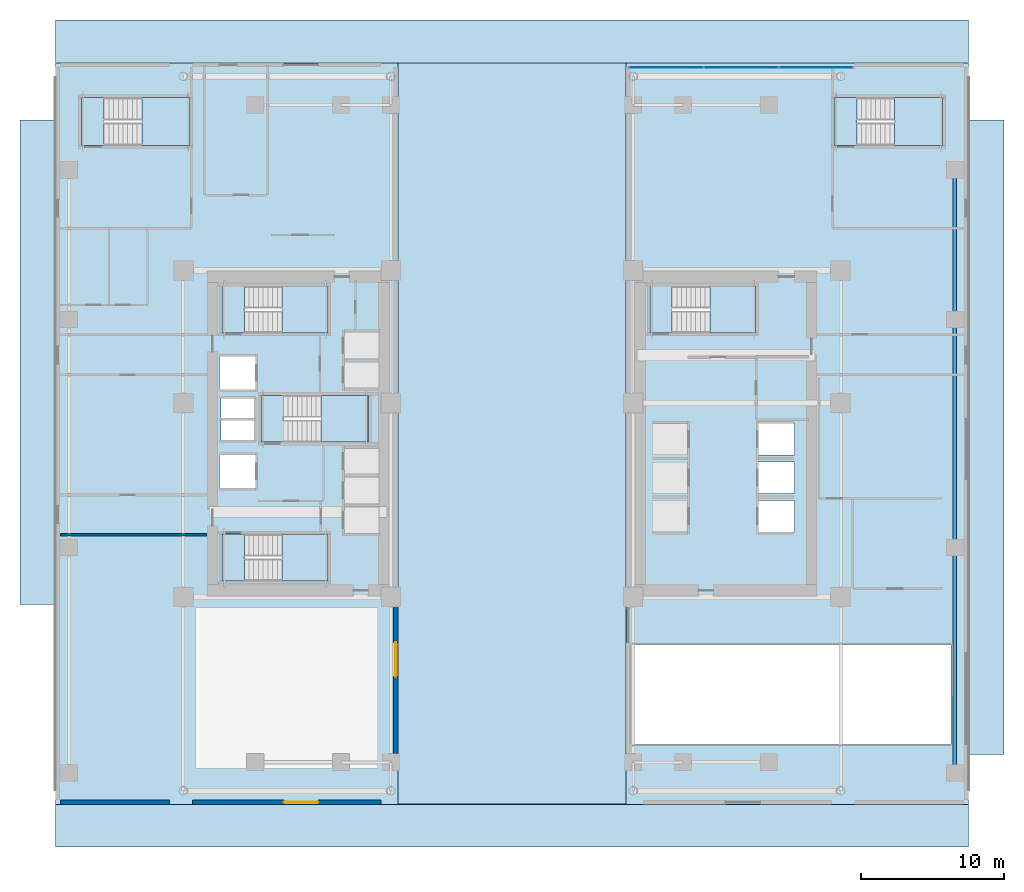
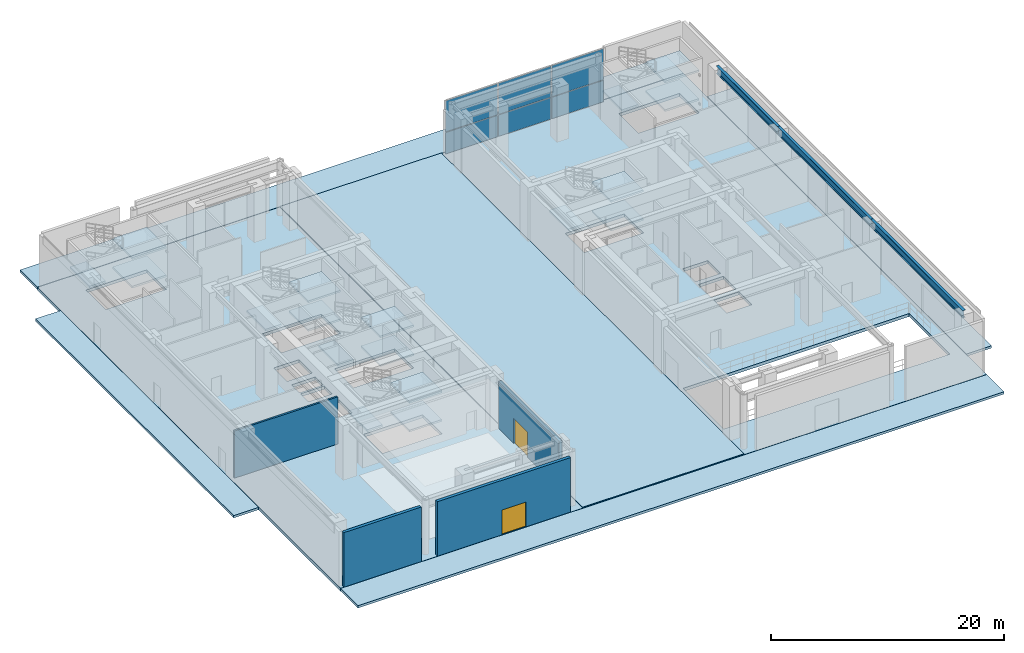
# One storey, part 4 of 17: 24 slabs, 6 plates, 4 walls, 3 beams, 2 doors, 2 openings, 7 elements without a shape of their own.
"""IFC4 building model written with IfcOpenShell, lengths in metres."""

from ifc_helpers import new_model, si_unit, direction, frame, frame_2d, origin, origin_2d, place, context, subcontext, project, spatial, polyline, rectangle, i_section, outline, extrude, source, transform, mapped, material, layer, layer_set, material_profile, profile_set, type_object, element, fill, aggregate, save


model = new_model("IFC4")

# Units and contexts
model_context = context("Model", 3, precision=1e-05, world=origin(), true_north=direction((0.0, 1.0)))
body_context = subcontext(model_context, "Body", "Model", "MODEL_VIEW")
ifc_project = project(units=[si_unit("LENGTHUNIT", "METRE"), si_unit("AREAUNIT", "SQUARE_METRE"), si_unit("VOLUMEUNIT", "CUBIC_METRE"), si_unit("PLANEANGLEUNIT", "RADIAN"), si_unit("MASSUNIT", "GRAM", prefix="KILO")], contexts=[model_context])

# Site, building, storey
site_placement = place(None, origin())
site = spatial("IfcSite", under=ifc_project, at=site_placement, CompositionType="ELEMENT")
building_placement = place(site_placement, origin())
building = spatial("IfcBuilding", under=site, at=building_placement, Name="Ocotamira Hotel", CompositionType="ELEMENT")
storey_placement = place(building_placement, origin())
storey = spatial("IfcBuildingStorey", under=building, at=storey_placement, Name="L01", CompositionType="ELEMENT", Elevation=0.0)

# Beams
ifc_material_1 = material(Name="Steel ASTM A992 Grade 50", Category="steel")
ifc_material_profile = material_profile(ifc_material_1, i_section(OverallWidth=0.26611328125, OverallDepth=0.779052734375, WebThickness=0.0166015625, FlangeThickness=0.030029296875, FilletRadius=0.01806640625, at=origin_2d()), Name="W30X148")
ifc_profile_set = profile_set([ifc_material_profile], Name="Steel ASTM A992 Grade 50")
beam_type = type_object("IfcBeamType", Name="BM-GIRD-W30X148", PredefinedType="BEAM", material=ifc_profile_set)
shared_shape_1 = source(origin(), body_context, "Body", "SweptSolid", [
    extrude(i_section(OverallWidth=0.26611328125, OverallDepth=0.779052734375, WebThickness=0.0166015625, FlangeThickness=0.030029296875, FilletRadius=0.01806640625, at=origin_2d()), origin(), (0.0, 0.0, 1.0), 15.800048828125),
])
beam_1_placement = place(storey_placement, frame((63.050048828125, 2.199951171875, 5.320556640625), z_axis=(0.0, 1.0, 0.0), x_axis=(-1.0, 0.0, 0.0)))
element("IfcBeam", 1, at=beam_1_placement, inside=storey, type_object=beam_type, Name="L01 Beam X63.05 Y2.2-18", PredefinedType="BEAM", context=body_context, shape_type="MappedRepresentation", body=[
    mapped(shared_shape_1, transform((0.0, 0.0, 0.0), scale=1.0)),
])
shared_shape_2 = source(origin(), body_context, "Body", "SweptSolid", [
    extrude(i_section(OverallWidth=0.26611328125, OverallDepth=0.779052734375, WebThickness=0.0166015625, FlangeThickness=0.030029296875, FilletRadius=0.01806640625, at=origin_2d()), origin(), (0.0, 0.0, 1.0), 16.0),
])
beam_2_placement = place(storey_placement, frame((63.050048828125, 18.0, 5.320556640625), z_axis=(0.0, 1.0, 0.0), x_axis=(-1.0, 0.0, 0.0)))
element("IfcBeam", 2, at=beam_2_placement, inside=storey, type_object=beam_type, Name="L01 Beam X63.05 Y18-34", PredefinedType="BEAM", context=body_context, shape_type="MappedRepresentation", body=[
    mapped(shared_shape_2, transform((0.0, 0.0, 0.0), scale=1.0)),
])
shared_shape_3 = source(origin(), body_context, "Body", "SweptSolid", [
    extrude(i_section(OverallWidth=0.26611328125, OverallDepth=0.779052734375, WebThickness=0.0166015625, FlangeThickness=0.030029296875, FilletRadius=0.01806640625, at=origin_2d()), origin(), (0.0, 0.0, 1.0), 10.5),
])
beam_3_placement = place(storey_placement, frame((63.050048828125, 34.0, 5.320556640625), z_axis=(0.0, 1.0, 0.0), x_axis=(-1.0, 0.0, 0.0)))
element("IfcBeam", 3, at=beam_3_placement, inside=storey, type_object=beam_type, Name="L01 Beam X63.05 Y34-44.5", PredefinedType="BEAM", context=body_context, shape_type="MappedRepresentation", body=[
    mapped(shared_shape_3, transform((0.0, 0.0, 0.0), scale=1.0)),
])

# Slab
ifc_material_2 = material(Name="Concrete C40/50", Category="concrete")
ifc_layer_1 = layer(ifc_material_2, 0.320068359375)
ifc_layer_set_1 = layer_set([ifc_layer_1], Name="Concrete C40/50")
slab_type_1 = type_object("IfcSlabType", Name="SLB-HVY-320", PredefinedType="FLOOR", material=ifc_layer_set_1)
slab_1_placement = place(storey_placement, frame((0.0, 0.0, -0.320068359375)))
element("IfcSlab", 4, at=slab_1_placement, inside=storey, type_object=slab_type_1, Name="L01 Structural Floor Slab", PredefinedType="FLOOR", context=body_context, shape_type="SweptSolid", body=[
    extrude(outline(polyline([(0.0, 0.0), (64.0, 0.0), (64.0, 52.0), (0.0, 52.0), (0.0, 0.0)]), holes=[polyline([(13.22998046875, 15.669921875), (19.090087890625, 15.669921875), (19.090087890625, 18.949951171875), (13.22998046875, 18.949951171875), (13.22998046875, 15.669921875)]), polyline([(13.22998046875, 33.050048828125), (19.090087890625, 33.050048828125), (19.090087890625, 36.330078125), (13.22998046875, 36.330078125), (13.22998046875, 33.050048828125)]), polyline([(15.9599609375, 25.39990234375), (21.919921875, 25.39990234375), (21.919921875, 28.679931640625), (15.9599609375, 28.679931640625), (15.9599609375, 25.39990234375)]), polyline([(43.22998046875, 33.050048828125), (49.090087890625, 33.050048828125), (49.090087890625, 36.330078125), (43.22998046875, 36.330078125), (43.22998046875, 33.050048828125)]), polyline([(3.39990234375, 46.199951171875), (9.419921875, 46.199951171875), (9.419921875, 49.56005859375), (3.39990234375, 49.56005859375), (3.39990234375, 46.199951171875)]), polyline([(56.179931640625, 46.199951171875), (62.199951171875, 46.199951171875), (62.199951171875, 49.56005859375), (56.179931640625, 49.56005859375), (56.179931640625, 46.199951171875)]), polyline([(49.300048828125, 19.10009765625), (51.800048828125, 19.10009765625), (51.800048828125, 21.300048828125), (49.300048828125, 21.300048828125), (49.300048828125, 19.10009765625)]), polyline([(49.300048828125, 21.800048828125), (51.800048828125, 21.800048828125), (51.800048828125, 24.0), (49.300048828125, 24.0), (49.300048828125, 21.800048828125)]), polyline([(49.300048828125, 24.5), (51.800048828125, 24.5), (51.800048828125, 26.699951171875), (49.300048828125, 26.699951171875), (49.300048828125, 24.5)]), polyline([(11.5, 22.199951171875), (14.0, 22.199951171875), (14.0, 24.5), (11.5, 24.5), (11.5, 22.199951171875)]), polyline([(11.5, 29.10009765625), (14.0, 29.10009765625), (14.0, 31.39990234375), (11.5, 31.39990234375), (11.5, 29.10009765625)]), polyline([(11.580078125, 25.550048828125), (13.919921875, 25.550048828125), (13.919921875, 26.89990234375), (11.580078125, 26.89990234375), (11.580078125, 25.550048828125)]), polyline([(11.580078125, 27.10009765625), (13.919921875, 27.10009765625), (13.919921875, 28.449951171875), (11.580078125, 28.449951171875), (11.580078125, 27.10009765625)]), polyline([(40.39990234375, 4.199951171875), (62.800048828125, 4.199951171875), (62.800048828125, 11.199951171875), (40.39990234375, 11.199951171875), (40.39990234375, 4.199951171875)])]), origin(), (0.0, 0.0, 1.0), 0.320068359375),
])

# Stair, slabs
stair_type_1 = type_object("IfcStairType", Name="ST-CORE-1560", PredefinedType="HALF_TURN_STAIR", material=ifc_material_2)
stair_1_placement = place(storey_placement, origin())
stair_1 = element("IfcStair", 5, at=stair_1_placement, inside=storey, type_object=stair_type_1, Name="L01 Exit Stair ST-1", PredefinedType="HALF_TURN_STAIR")
ifc_layer_2 = layer(ifc_material_2, 0.199951171875)
ifc_layer_set_2 = layer_set([ifc_layer_2], Name="Concrete C40/50")
slab_type_2 = type_object("IfcSlabType", Name="SLB-LAND-200", PredefinedType="LANDING", material=ifc_layer_set_2)
slab_2_placement = place(storey_placement, frame((0.0, 0.0, 1.300048828125)))
slab_2 = element("IfcSlab", 6, at=slab_2_placement, type_object=slab_type_2, Name="ST-1 landing 1", PredefinedType="LANDING", context=body_context, shape_type="SweptSolid", body=[
    extrude(outline(polyline([(15.8701171875, 15.669921875), (19.090087890625, 15.669921875), (19.090087890625, 18.949951171875), (15.8701171875, 18.949951171875), (15.8701171875, 15.669921875)])), origin(), (0.0, 0.0, 1.0), 0.199951171875),
])
slab_3_placement = place(storey_placement, frame((0.0, 0.0, 2.800048828125)))
slab_3 = element("IfcSlab", 7, at=slab_3_placement, type_object=slab_type_2, Name="ST-1 landing 2", PredefinedType="LANDING", context=body_context, shape_type="SweptSolid", body=[
    extrude(outline(polyline([(11.669921875, 15.669921875), (13.22998046875, 15.669921875), (13.22998046875, 18.949951171875), (11.669921875, 18.949951171875), (11.669921875, 15.669921875)])), origin(), (0.0, 0.0, 1.0), 0.199951171875),
])
slab_4_placement = place(storey_placement, frame((0.0, 0.0, 4.300048828125)))
slab_4 = element("IfcSlab", 8, at=slab_4_placement, type_object=slab_type_2, Name="ST-1 landing 3", PredefinedType="LANDING", context=body_context, shape_type="SweptSolid", body=[
    extrude(outline(polyline([(15.8701171875, 15.669921875), (19.090087890625, 15.669921875), (19.090087890625, 18.949951171875), (15.8701171875, 18.949951171875), (15.8701171875, 15.669921875)])), origin(), (0.0, 0.0, 1.0), 0.199951171875),
])
aggregate(stair_1, [slab_2, slab_3, slab_4])

stair_2_placement = place(storey_placement, origin())
stair_2 = element("IfcStair", 9, at=stair_2_placement, inside=storey, type_object=stair_type_1, Name="L01 Exit Stair ST-2", PredefinedType="HALF_TURN_STAIR")
slab_5_placement = place(storey_placement, frame((0.0, 0.0, 1.300048828125)))
slab_5 = element("IfcSlab", 10, at=slab_5_placement, type_object=slab_type_2, Name="ST-2 landing 1", PredefinedType="LANDING", context=body_context, shape_type="SweptSolid", body=[
    extrude(outline(polyline([(15.8701171875, 33.050048828125), (19.090087890625, 33.050048828125), (19.090087890625, 36.330078125), (15.8701171875, 36.330078125), (15.8701171875, 33.050048828125)])), origin(), (0.0, 0.0, 1.0), 0.199951171875),
])
slab_6_placement = place(storey_placement, frame((0.0, 0.0, 2.800048828125)))
slab_6 = element("IfcSlab", 11, at=slab_6_placement, type_object=slab_type_2, Name="ST-2 landing 2", PredefinedType="LANDING", context=body_context, shape_type="SweptSolid", body=[
    extrude(outline(polyline([(11.669921875, 33.050048828125), (13.22998046875, 33.050048828125), (13.22998046875, 36.330078125), (11.669921875, 36.330078125), (11.669921875, 33.050048828125)])), origin(), (0.0, 0.0, 1.0), 0.199951171875),
])
slab_7_placement = place(storey_placement, frame((0.0, 0.0, 4.300048828125)))
slab_7 = element("IfcSlab", 12, at=slab_7_placement, type_object=slab_type_2, Name="ST-2 landing 3", PredefinedType="LANDING", context=body_context, shape_type="SweptSolid", body=[
    extrude(outline(polyline([(15.8701171875, 33.050048828125), (19.090087890625, 33.050048828125), (19.090087890625, 36.330078125), (15.8701171875, 36.330078125), (15.8701171875, 33.050048828125)])), origin(), (0.0, 0.0, 1.0), 0.199951171875),
])
aggregate(stair_2, [slab_5, slab_6, slab_7])

stair_3_placement = place(storey_placement, origin())
stair_3 = element("IfcStair", 13, at=stair_3_placement, inside=storey, type_object=stair_type_1, Name="L01 Exit Stair ST-3", PredefinedType="HALF_TURN_STAIR")
slab_8_placement = place(storey_placement, frame((0.0, 0.0, 1.300048828125)))
slab_8 = element("IfcSlab", 14, at=slab_8_placement, type_object=slab_type_2, Name="ST-3 landing 1", PredefinedType="LANDING", context=body_context, shape_type="SweptSolid", body=[
    extrude(outline(polyline([(18.60009765625, 25.39990234375), (21.919921875, 25.39990234375), (21.919921875, 28.679931640625), (18.60009765625, 28.679931640625), (18.60009765625, 25.39990234375)])), origin(), (0.0, 0.0, 1.0), 0.199951171875),
])
slab_9_placement = place(storey_placement, frame((0.0, 0.0, 2.800048828125)))
slab_9 = element("IfcSlab", 15, at=slab_9_placement, type_object=slab_type_2, Name="ST-3 landing 2", PredefinedType="LANDING", context=body_context, shape_type="SweptSolid", body=[
    extrude(outline(polyline([(14.39990234375, 25.39990234375), (15.9599609375, 25.39990234375), (15.9599609375, 28.679931640625), (14.39990234375, 28.679931640625), (14.39990234375, 25.39990234375)])), origin(), (0.0, 0.0, 1.0), 0.199951171875),
])
slab_10_placement = place(storey_placement, frame((0.0, 0.0, 4.300048828125)))
slab_10 = element("IfcSlab", 16, at=slab_10_placement, type_object=slab_type_2, Name="ST-3 landing 3", PredefinedType="LANDING", context=body_context, shape_type="SweptSolid", body=[
    extrude(outline(polyline([(18.60009765625, 25.39990234375), (21.919921875, 25.39990234375), (21.919921875, 28.679931640625), (18.60009765625, 28.679931640625), (18.60009765625, 25.39990234375)])), origin(), (0.0, 0.0, 1.0), 0.199951171875),
])
aggregate(stair_3, [slab_8, slab_9, slab_10])

stair_4_placement = place(storey_placement, origin())
stair_4 = element("IfcStair", 17, at=stair_4_placement, inside=storey, type_object=stair_type_1, Name="L01 Exit Stair ST-4", PredefinedType="HALF_TURN_STAIR")
slab_11_placement = place(storey_placement, frame((0.0, 0.0, 1.300048828125)))
slab_11 = element("IfcSlab", 18, at=slab_11_placement, type_object=slab_type_2, Name="ST-4 landing 1", PredefinedType="LANDING", context=body_context, shape_type="SweptSolid", body=[
    extrude(outline(polyline([(45.8701171875, 33.050048828125), (49.090087890625, 33.050048828125), (49.090087890625, 36.330078125), (45.8701171875, 36.330078125), (45.8701171875, 33.050048828125)])), origin(), (0.0, 0.0, 1.0), 0.199951171875),
])
slab_12_placement = place(storey_placement, frame((0.0, 0.0, 2.800048828125)))
slab_12 = element("IfcSlab", 19, at=slab_12_placement, type_object=slab_type_2, Name="ST-4 landing 2", PredefinedType="LANDING", context=body_context, shape_type="SweptSolid", body=[
    extrude(outline(polyline([(41.669921875, 33.050048828125), (43.22998046875, 33.050048828125), (43.22998046875, 36.330078125), (41.669921875, 36.330078125), (41.669921875, 33.050048828125)])), origin(), (0.0, 0.0, 1.0), 0.199951171875),
])
slab_13_placement = place(storey_placement, frame((0.0, 0.0, 4.300048828125)))
slab_13 = element("IfcSlab", 20, at=slab_13_placement, type_object=slab_type_2, Name="ST-4 landing 3", PredefinedType="LANDING", context=body_context, shape_type="SweptSolid", body=[
    extrude(outline(polyline([(45.8701171875, 33.050048828125), (49.090087890625, 33.050048828125), (49.090087890625, 36.330078125), (45.8701171875, 36.330078125), (45.8701171875, 33.050048828125)])), origin(), (0.0, 0.0, 1.0), 0.199951171875),
])
aggregate(stair_4, [slab_11, slab_12, slab_13])

stair_type_2 = type_object("IfcStairType", Name="ST-POD-1600", PredefinedType="HALF_TURN_STAIR", material=ifc_material_2)
stair_5_placement = place(storey_placement, origin())
stair_5 = element("IfcStair", 21, at=stair_5_placement, inside=storey, type_object=stair_type_2, Name="L01 Exit Stair ST-5", PredefinedType="HALF_TURN_STAIR")
slab_14_placement = place(storey_placement, frame((0.0, 0.0, 1.300048828125)))
slab_14 = element("IfcSlab", 22, at=slab_14_placement, type_object=slab_type_2, Name="ST-5 landing 1", PredefinedType="LANDING", context=body_context, shape_type="SweptSolid", body=[
    extrude(outline(polyline([(6.0400390625, 46.199951171875), (9.419921875, 46.199951171875), (9.419921875, 49.56005859375), (6.0400390625, 49.56005859375), (6.0400390625, 46.199951171875)])), origin(), (0.0, 0.0, 1.0), 0.199951171875),
])
slab_15_placement = place(storey_placement, frame((0.0, 0.0, 2.800048828125)))
slab_15 = element("IfcSlab", 23, at=slab_15_placement, type_object=slab_type_2, Name="ST-5 landing 2", PredefinedType="LANDING", context=body_context, shape_type="SweptSolid", body=[
    extrude(outline(polyline([(1.800048828125, 46.199951171875), (3.39990234375, 46.199951171875), (3.39990234375, 49.56005859375), (1.800048828125, 49.56005859375), (1.800048828125, 46.199951171875)])), origin(), (0.0, 0.0, 1.0), 0.199951171875),
])
slab_16_placement = place(storey_placement, frame((0.0, 0.0, 4.300048828125)))
slab_16 = element("IfcSlab", 24, at=slab_16_placement, type_object=slab_type_2, Name="ST-5 landing 3", PredefinedType="LANDING", context=body_context, shape_type="SweptSolid", body=[
    extrude(outline(polyline([(6.0400390625, 46.199951171875), (9.419921875, 46.199951171875), (9.419921875, 49.56005859375), (6.0400390625, 49.56005859375), (6.0400390625, 46.199951171875)])), origin(), (0.0, 0.0, 1.0), 0.199951171875),
])
aggregate(stair_5, [slab_14, slab_15, slab_16])

stair_6_placement = place(storey_placement, origin())
stair_6 = element("IfcStair", 25, at=stair_6_placement, inside=storey, type_object=stair_type_2, Name="L01 Exit Stair ST-6", PredefinedType="HALF_TURN_STAIR")
slab_17_placement = place(storey_placement, frame((0.0, 0.0, 1.300048828125)))
slab_17 = element("IfcSlab", 26, at=slab_17_placement, type_object=slab_type_2, Name="ST-6 landing 1", PredefinedType="LANDING", context=body_context, shape_type="SweptSolid", body=[
    extrude(outline(polyline([(58.820068359375, 46.199951171875), (62.199951171875, 46.199951171875), (62.199951171875, 49.56005859375), (58.820068359375, 49.56005859375), (58.820068359375, 46.199951171875)])), origin(), (0.0, 0.0, 1.0), 0.199951171875),
])
slab_18_placement = place(storey_placement, frame((0.0, 0.0, 2.800048828125)))
slab_18 = element("IfcSlab", 27, at=slab_18_placement, type_object=slab_type_2, Name="ST-6 landing 2", PredefinedType="LANDING", context=body_context, shape_type="SweptSolid", body=[
    extrude(outline(polyline([(54.580078125, 46.199951171875), (56.179931640625, 46.199951171875), (56.179931640625, 49.56005859375), (54.580078125, 49.56005859375), (54.580078125, 46.199951171875)])), origin(), (0.0, 0.0, 1.0), 0.199951171875),
])
slab_19_placement = place(storey_placement, frame((0.0, 0.0, 4.300048828125)))
slab_19 = element("IfcSlab", 28, at=slab_19_placement, type_object=slab_type_2, Name="ST-6 landing 3", PredefinedType="LANDING", context=body_context, shape_type="SweptSolid", body=[
    extrude(outline(polyline([(58.820068359375, 46.199951171875), (62.199951171875, 46.199951171875), (62.199951171875, 49.56005859375), (58.820068359375, 49.56005859375), (58.820068359375, 46.199951171875)])), origin(), (0.0, 0.0, 1.0), 0.199951171875),
])
aggregate(stair_6, [slab_17, slab_18, slab_19])

# Slabs
ifc_layer_3 = layer(ifc_material_2, 0.25)
ifc_layer_set_3 = layer_set([ifc_layer_3], Name="Concrete C40/50")
slab_type_3 = type_object("IfcSlabType", Name="SLB-PLAZA-250", PredefinedType="USERDEFINED", material=ifc_layer_set_3)
slab_20_placement = place(storey_placement, origin())
element("IfcSlab", 29, at=slab_20_placement, inside=storey, type_object=slab_type_3, Name="Giant Arch Shaded Public Plaza Paving", ObjectType="PAVING", PredefinedType="USERDEFINED", context=body_context, shape_type="SweptSolid", body=[
    extrude(outline(polyline([(24.0, 0.02001953125), (40.0, 0.02001953125), (40.0, 51.97998046875), (24.0, 51.97998046875), (24.0, 0.02001953125)])), origin(), (0.0, 0.0, 1.0), 0.080078125),
])
slab_21_placement = place(storey_placement, frame((0.0, 0.0, -0.25)))
element("IfcSlab", 30, at=slab_21_placement, inside=storey, type_object=slab_type_3, Name="South Porte-Cochere On-Grade Plaza Apron", ObjectType="PAVING", PredefinedType="USERDEFINED", context=body_context, shape_type="SweptSolid", body=[
    extrude(outline(polyline([(0.0, -3.0), (64.0, -3.0), (64.0, -0.02001953125), (0.0, -0.02001953125), (0.0, -3.0)])), origin(), (0.0, 0.0, 1.0), 0.25),
])
slab_22_placement = place(storey_placement, frame((0.0, 0.0, -0.25)))
element("IfcSlab", 31, at=slab_22_placement, inside=storey, type_object=slab_type_3, Name="North Porte-Cochere On-Grade Plaza Apron", ObjectType="PAVING", PredefinedType="USERDEFINED", context=body_context, shape_type="SweptSolid", body=[
    extrude(outline(polyline([(0.0, 52.02001953125), (64.0, 52.02001953125), (64.0, 55.0), (0.0, 55.0), (0.0, 52.02001953125)])), origin(), (0.0, 0.0, 1.0), 0.25),
])
slab_23_placement = place(storey_placement, frame((0.0, 0.0, -0.25)))
element("IfcSlab", 32, at=slab_23_placement, inside=storey, type_object=slab_type_3, Name="West On-Grade Exit Discharge Sidewalk Apron", ObjectType="PAVING", PredefinedType="USERDEFINED", context=body_context, shape_type="SweptSolid", body=[
    extrude(outline(polyline([(-2.5, 14.0), (-0.02001953125, 14.0), (-0.02001953125, 48.0), (-2.5, 48.0), (-2.5, 14.0)])), origin(), (0.0, 0.0, 1.0), 0.25),
])
slab_24_placement = place(storey_placement, frame((0.0, 0.0, -0.25)))
element("IfcSlab", 33, at=slab_24_placement, inside=storey, type_object=slab_type_3, Name="East On-Grade Exit Discharge Sidewalk Apron", ObjectType="PAVING", PredefinedType="USERDEFINED", context=body_context, shape_type="SweptSolid", body=[
    extrude(outline(polyline([(64.02001953125, 3.5), (66.5, 3.5), (66.5, 48.0), (64.02001953125, 48.0), (64.02001953125, 3.5)])), origin(), (0.0, 0.0, 1.0), 0.25),
])

# Curtain wall, plates
ifc_material_3 = material(Name="Anodised pale-metal aluminium and solar glass", Category="aluminium")
ifc_layer_4 = layer(ifc_material_3, 0.219970703125)
ifc_layer_set_4 = layer_set([ifc_layer_4], Name="Anodised pale-metal aluminium and solar glass")
curtain_wall_type = type_object("IfcCurtainWallType", Name="CW-SYS1-POD", PredefinedType="NOTDEFINED", material=ifc_layer_set_4)
curtain_wall_placement = place(storey_placement, origin())
curtain_wall = element("IfcCurtainWall", 34, at=curtain_wall_placement, inside=storey, type_object=curtain_wall_type, Name="L01 Curtain Wall CW-1 CW-L01-NE", PredefinedType="NOTDEFINED")
ifc_material_4 = material(Name="Double-silver low-E insulated solar glass", Category="glass")
ifc_layer_5 = layer(ifc_material_4, 0.031982421875)
ifc_layer_set_5 = layer_set([ifc_layer_5], Name="Double-silver low-E insulated solar glass")
plate_type = type_object("IfcPlateType", Name="CWP-VISION-32", PredefinedType="CURTAIN_PANEL", material=ifc_layer_set_5)
shared_shape_4 = source(origin(), body_context, "Body", "SweptSolid", [
    extrude(rectangle(XDim=5.13330078125, YDim=0.031982421875, at=origin_2d()), origin(), (0.0, 0.0, 1.0), 2.237548828125),
])
plate_1_placement = place(storey_placement, frame((42.816650390625, 51.679931640625, 0.0751953125), z_axis=(0.0, 0.0, 1.0), x_axis=(1.0, 0.0, 0.0)))
plate_1 = element("IfcPlate", 35, at=plate_1_placement, type_object=plate_type, Name="CW-1 panel 1.1", PredefinedType="CURTAIN_PANEL", context=body_context, shape_type="MappedRepresentation", body=[
    mapped(shared_shape_4, transform((0.0, 0.0, 0.0), scale=1.0)),
])
plate_2_placement = place(storey_placement, frame((53.333251953125, 51.679931640625, 0.0751953125), z_axis=(0.0, 0.0, 1.0), x_axis=(1.0, 0.0, 0.0)))
plate_2 = element("IfcPlate", 36, at=plate_2_placement, type_object=plate_type, Name="CW-1 panel 3.1", PredefinedType="CURTAIN_PANEL", context=body_context, shape_type="MappedRepresentation", body=[
    mapped(shared_shape_4, transform((0.0, 0.0, 0.0), scale=1.0)),
])
shared_shape_5 = source(origin(), body_context, "Body", "SweptSolid", [
    extrude(rectangle(XDim=5.13330078125, YDim=0.031982421875, at=origin_2d()), origin(), (0.0, 0.0, 1.0), 3.24755859375),
])
plate_3_placement = place(storey_placement, frame((42.816650390625, 51.679931640625, 2.387451171875), z_axis=(0.0, 0.0, 1.0), x_axis=(1.0, 0.0, 0.0)))
plate_3 = element("IfcPlate", 37, at=plate_3_placement, type_object=plate_type, Name="CW-1 panel 1.2", PredefinedType="CURTAIN_PANEL", context=body_context, shape_type="MappedRepresentation", body=[
    mapped(shared_shape_5, transform((0.0, 0.0, 0.0), scale=1.0)),
])
plate_4_placement = place(storey_placement, frame((53.333251953125, 51.679931640625, 2.387451171875), z_axis=(0.0, 0.0, 1.0), x_axis=(1.0, 0.0, 0.0)))
plate_4 = element("IfcPlate", 38, at=plate_4_placement, type_object=plate_type, Name="CW-1 panel 3.2", PredefinedType="CURTAIN_PANEL", context=body_context, shape_type="MappedRepresentation", body=[
    mapped(shared_shape_5, transform((0.0, 0.0, 0.0), scale=1.0)),
])
shared_shape_6 = source(origin(), body_context, "Body", "SweptSolid", [
    extrude(rectangle(XDim=5.183349609375, YDim=0.031982421875, at=origin_2d()), origin(), (0.0, 0.0, 1.0), 2.237548828125),
])
plate_5_placement = place(storey_placement, frame((48.074951171875, 51.679931640625, 0.0751953125), z_axis=(0.0, 0.0, 1.0), x_axis=(1.0, 0.0, 0.0)))
plate_5 = element("IfcPlate", 39, at=plate_5_placement, type_object=plate_type, Name="CW-1 panel 2.1", PredefinedType="CURTAIN_PANEL", context=body_context, shape_type="MappedRepresentation", body=[
    mapped(shared_shape_6, transform((0.0, 0.0, 0.0), scale=1.0)),
])
shared_shape_7 = source(origin(), body_context, "Body", "SweptSolid", [
    extrude(rectangle(XDim=5.183349609375, YDim=0.031982421875, at=origin_2d()), origin(), (0.0, 0.0, 1.0), 3.24755859375),
])
plate_6_placement = place(storey_placement, frame((48.074951171875, 51.679931640625, 2.387451171875), z_axis=(0.0, 0.0, 1.0), x_axis=(1.0, 0.0, 0.0)))
plate_6 = element("IfcPlate", 40, at=plate_6_placement, type_object=plate_type, Name="CW-1 panel 2.2", PredefinedType="CURTAIN_PANEL", context=body_context, shape_type="MappedRepresentation", body=[
    mapped(shared_shape_7, transform((0.0, 0.0, 0.0), scale=1.0)),
])
aggregate(curtain_wall, [plate_1, plate_3, plate_5, plate_6, plate_2, plate_4])

# Wall
ifc_material_5 = material(Name="Travertine-clad precast concrete C45/55", Category="masonry")
ifc_layer_6 = layer(ifc_material_5, 0.300048828125)
ifc_layer_set_6 = layer_set([ifc_layer_6], Name="Travertine-clad precast concrete C45/55")
wall_type_1 = type_object("IfcWallType", Name="WL-EXT-POD-300", PredefinedType="SOLIDWALL", material=ifc_layer_set_6)
wall_1_placement = place(storey_placement, frame((8.0, 0.14990234375, 0.0), z_axis=(0.0, 0.0, 1.0), x_axis=(-1.0, 0.0, 0.0)))
element("IfcWall", 41, at=wall_1_placement, inside=storey, type_object=wall_type_1, Name="L01 S-West Podium Wall", PredefinedType="SOLIDWALL", context=body_context, shape_type="SweptSolid", body=[
    extrude(rectangle(XDim=7.64990234375, YDim=0.300048828125, at=frame_2d((3.824951171875, 0.0))), origin(), (0.0, 0.0, 1.0), 5.7099609375),
])

# Wall, opening, door
wall_2_placement = place(storey_placement, frame((22.800048828125, 0.14990234375, 0.0), z_axis=(0.0, 0.0, 1.0), x_axis=(-1.0, 0.0, 0.0)))
wall_2 = element("IfcWall", 42, at=wall_2_placement, inside=storey, type_object=wall_type_1, Name="L01 S-West Entrance Portal Wall", PredefinedType="SOLIDWALL", context=body_context, shape_type="SweptSolid", body=[
    extrude(rectangle(XDim=13.199951171875, YDim=0.300048828125, at=frame_2d((6.60009765625, 0.0))), origin(), (0.0, 0.0, 1.0), 5.7099609375),
])
opening_1_placement = place(wall_2_placement, frame((4.39990234375, 0.0, 0.0)))
opening_1 = element("IfcOpeningElement", 43, at=opening_1_placement, cuts=wall_2, Name="Opening ED-1", PredefinedType="OPENING", context=body_context, shape_type="SweptSolid", body=[
    extrude(rectangle(XDim=2.39990234375, YDim=2.60009765625, at=frame_2d((1.199951171875, 1.300048828125))), frame((0.0, 0.16015625, 0.0), z_axis=(0.0, -1.0, 0.0), x_axis=(1.0, 0.0, 0.0)), (0.0, 0.0, 1.0), 0.320068359375),
])
ifc_material_6 = material(Name="Anodised pale-metal aluminium and glass", Category="aluminium")
door_type = type_object("IfcDoorType", Name="DR-ENT-2400", OperationType="NOTDEFINED", PredefinedType="DOOR", material=ifc_material_6)
shared_shape_8 = source(origin(), body_context, "Body", "SweptSolid", [
    extrude(rectangle(XDim=2.39990234375, YDim=2.60009765625, at=frame_2d((1.199951171875, 1.300048828125))), frame((0.0, 0.02490234375, 0.0), z_axis=(0.0, -1.0, 0.0), x_axis=(1.0, 0.0, 0.0)), (0.0, 0.0, 1.0), 0.050048828125),
])
door_1_placement = place(opening_1_placement, origin())
door_1 = element("IfcDoor", 44, at=door_1_placement, inside=storey, type_object=door_type, Name="L01 S Grand Lobby Entrance [ED-L01-MAIN-S]", OperationType="DOUBLE_DOOR_SINGLE_SWING", OverallHeight=2.60009765625, OverallWidth=2.39990234375, PredefinedType="DOOR", context=body_context, shape_type="MappedRepresentation", body=[
    mapped(shared_shape_8, transform((0.0, 0.0, 0.0), scale=1.0)),
])
fill(opening_1, door_1)

wall_3_placement = place(storey_placement, frame((23.85009765625, 13.949951171875, 0.0), z_axis=(0.0, 0.0, 1.0), x_axis=(0.0, -1.0, 0.0)))
wall_3 = element("IfcWall", 45, at=wall_3_placement, inside=storey, type_object=wall_type_1, Name="L01 Giant Arch South Portal Wall AW", PredefinedType="SOLIDWALL", context=body_context, shape_type="SweptSolid", body=[
    extrude(rectangle(XDim=10.39990234375, YDim=0.300048828125, at=frame_2d((5.199951171875, 0.0))), origin(), (0.0, 0.0, 1.0), 4.930908203125),
])
opening_2_placement = place(wall_3_placement, frame((2.60009765625, 0.0, 0.0)))
opening_2 = element("IfcOpeningElement", 46, at=opening_2_placement, cuts=wall_3, Name="Opening ED-1", PredefinedType="OPENING", context=body_context, shape_type="SweptSolid", body=[
    extrude(rectangle(XDim=2.39990234375, YDim=2.60009765625, at=frame_2d((1.199951171875, 1.300048828125))), frame((0.0, 0.16015625, 0.0), z_axis=(0.0, -1.0, 0.0), x_axis=(1.0, 0.0, 0.0)), (0.0, 0.0, 1.0), 0.320068359375),
])
door_2_placement = place(opening_2_placement, origin())
door_2 = element("IfcDoor", 47, at=door_2_placement, inside=storey, type_object=door_type, Name="L01 Giant Portal Arch Lobby Entrance AW [ED-L01-ARCH-AW]", OperationType="DOUBLE_DOOR_SINGLE_SWING", OverallHeight=2.60009765625, OverallWidth=2.39990234375, PredefinedType="DOOR", context=body_context, shape_type="MappedRepresentation", body=[
    mapped(shared_shape_8, transform((0.0, 0.0, 0.0), scale=1.0)),
])
fill(opening_2, door_2)

# Wall
ifc_material_7 = material(Name="Fire-rated gypsum shaftliner board assembly", Category="gypsum")
ifc_layer_7 = layer(ifc_material_7, 0.179931640625)
ifc_layer_set_7 = layer_set([ifc_layer_7], Name="Fire-rated gypsum shaftliner board assembly")
wall_type_2 = type_object("IfcWallType", Name="WL-SHAFT-180", PredefinedType="SOLIDWALL", material=ifc_layer_set_7)
wall_4_placement = place(storey_placement, frame((0.35009765625, 18.909912109375, 0.0), z_axis=(0.0, 0.0, 1.0), x_axis=(1.0, 0.0, 0.0)))
element("IfcWall", 48, at=wall_4_placement, inside=storey, type_object=wall_type_2, Name="L01 Interior Wall PW-L01-L01-EXP1-S", PredefinedType="SOLIDWALL", context=body_context, shape_type="SweptSolid", body=[
    extrude(rectangle(XDim=10.25, YDim=0.179931640625, at=frame_2d((5.125, 0.0))), origin(), (0.0, 0.0, 1.0), 4.930908203125),
])

save(model, "model.ifc")
